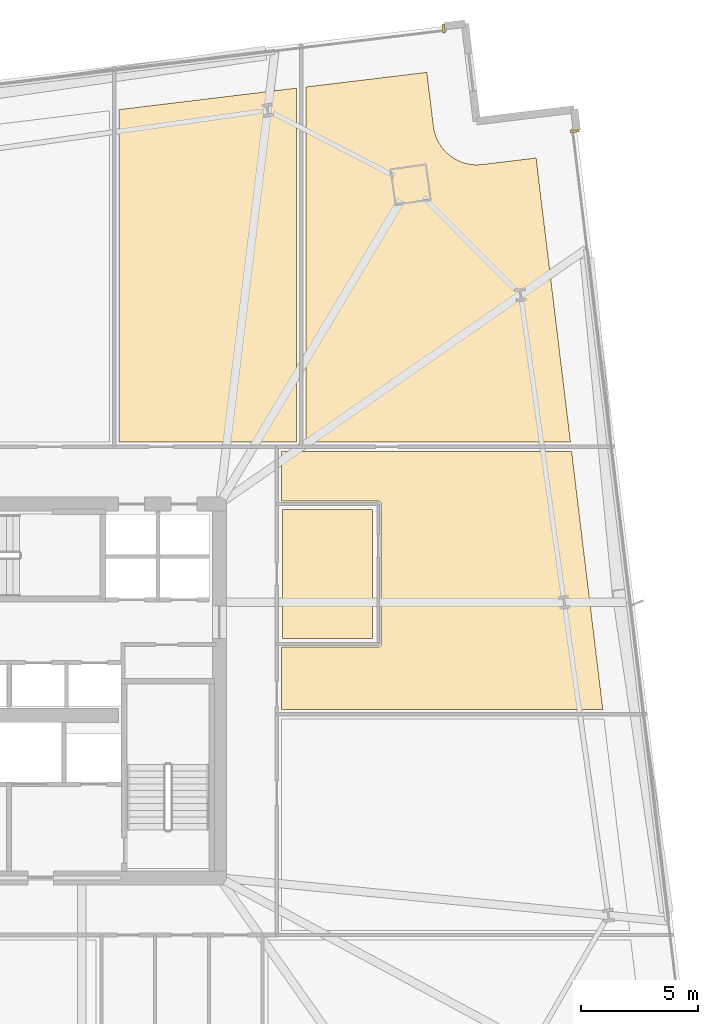
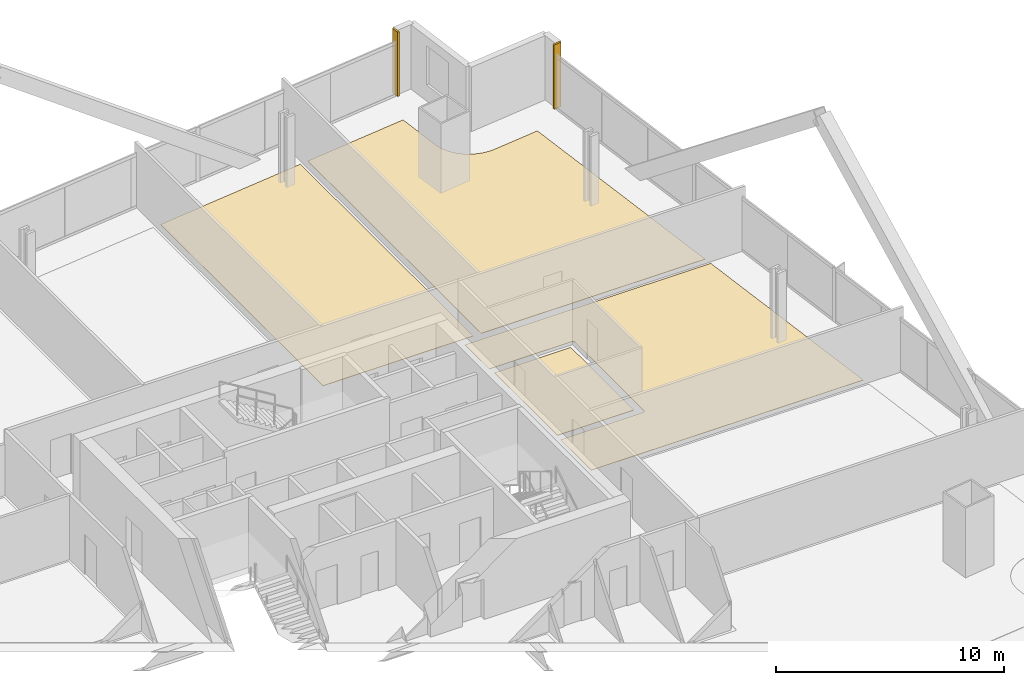
# One storey, part 33 of 33: 6 coverings.
"""IFC4 building model written with IfcOpenShell, lengths in metres."""

from ifc_helpers import new_model, si_unit, direction, frame, origin, origin_2d, place, context, subcontext, project, spatial, polyline, rectangle, outline, extrude, source, transform, mapped, material, layer, layer_set, type_object, element, save


model = new_model("IFC4")

# Units and contexts
model_context = context("Model", 3, precision=1e-05, world=origin(), true_north=direction((0.0, 1.0)))
body_context = subcontext(model_context, "Body", "Model", "MODEL_VIEW")
ifc_project = project(units=[si_unit("LENGTHUNIT", "METRE"), si_unit("AREAUNIT", "SQUARE_METRE"), si_unit("VOLUMEUNIT", "CUBIC_METRE"), si_unit("PLANEANGLEUNIT", "RADIAN"), si_unit("MASSUNIT", "GRAM", prefix="KILO")], contexts=[model_context])

# Site, building, storey
site_placement = place(None, origin())
site = spatial("IfcSite", under=ifc_project, at=site_placement, CompositionType="ELEMENT")
building_placement = place(site_placement, origin())
building = spatial("IfcBuilding", under=site, at=building_placement, Name="Haldenkirk Collegiate Tower", CompositionType="ELEMENT")
storey_placement = place(building_placement, frame((0.0, 0.0, 51.449951171875)))
storey = spatial("IfcBuildingStorey", under=building, at=storey_placement, Name="L11", CompositionType="ELEMENT", Elevation=51.449951171875)

# Coverings
ifc_material_1 = material(Name="Polished collegiate terrazzo", Category="concrete")
ifc_layer_1 = layer(ifc_material_1, 0.02490234375)
ifc_layer_set_1 = layer_set([ifc_layer_1], Name="Polished collegiate terrazzo")
covering_type_1 = type_object("IfcCoveringType", Name="COV-FLOOR-TERRAZZO", PredefinedType="FLOORING", material=ifc_layer_set_1)
covering_1_placement = place(storey_placement, origin())
element("IfcCovering", 1, at=covering_1_placement, inside=storey, type_object=covering_type_1, Name="L11 academic room finish 08", PredefinedType="FLOORING", context=body_context, shape_type="SweptSolid", body=[
    extrude(outline(polyline([(53.87939453125, 52.4697265625), (54.159423828125, 50.156494140625), (54.160400390625, 50.15087890625), (54.189208984375, 49.9814453125), (54.19189453125, 49.969970703125), (54.2373046875, 49.80419921875), (54.240966796875, 49.793212890625), (54.30224609375, 49.6328125), (54.30712890625, 49.6220703125), (54.384033203125, 49.468505859375), (54.389892578125, 49.458251953125), (54.481201171875, 49.31298828125), (54.488037109375, 49.30322265625), (54.593505859375, 49.16748046875), (54.60107421875, 49.15869140625), (54.71923828125, 49.033935546875), (54.727783203125, 49.02587890625), (54.857421875, 48.913330078125), (54.86669921875, 48.90625), (55.0068359375, 48.806884765625), (55.01708984375, 48.800537109375), (55.166259765625, 48.715576171875), (55.176513671875, 48.710205078125), (55.33349609375, 48.640380859375), (55.344482421875, 48.635986328125), (55.50732421875, 48.581787109375), (55.518798828125, 48.57861328125), (55.686279296875, 48.540771484375), (55.69775390625, 48.53857421875), (55.8681640625, 48.51708984375), (55.8798828125, 48.51611328125), (56.051513671875, 48.51171875), (56.0634765625, 48.511962890625), (56.234619140625, 48.524169921875), (56.240478515625, 48.52490234375), (58.5537109375, 48.8046875), (60.024658203125, 36.64990234375), (48.699951171875, 36.64990234375), (48.699951171875, 51.843017578125), (53.87939453125, 52.4697265625)])), origin(), (0.0, 0.0, 1.0), 0.025146484375),
])
ifc_material_2 = material(Name="Engineered collegiate oak acoustic flooring", Category="wood")
ifc_layer_2 = layer(ifc_material_2, 0.02197265625)
ifc_layer_set_2 = layer_set([ifc_layer_2], Name="Engineered collegiate oak acoustic flooring")
covering_type_2 = type_object("IfcCoveringType", Name="COV-FLOOR-TIMBER", PredefinedType="FLOORING", material=ifc_layer_set_2)
covering_2_placement = place(storey_placement, origin())
element("IfcCovering", 2, at=covering_2_placement, inside=storey, type_object=covering_type_2, Name="L11 academic room finish 01", PredefinedType="FLOORING", context=body_context, shape_type="SweptSolid", body=[
    extrude(outline(polyline([(47.699951171875, 28.239990234375), (47.699951171875, 33.760009765625), (51.56005859375, 33.760009765625), (51.56005859375, 28.239990234375), (47.699951171875, 28.239990234375)])), origin(), (0.0, 0.0, 1.0), 0.02197265625),
])
covering_3_placement = place(storey_placement, origin())
element("IfcCovering", 3, at=covering_3_placement, inside=storey, type_object=covering_type_2, Name="L11 academic room finish 07", PredefinedType="FLOORING", context=body_context, shape_type="SweptSolid", body=[
    extrude(outline(polyline([(48.300048828125, 51.79443359375), (48.300048828125, 36.64990234375), (40.699951171875, 36.64990234375), (40.699951171875, 50.874755859375), (48.300048828125, 51.79443359375)])), origin(), (0.0, 0.0, 1.0), 0.02197265625),
])
covering_4_placement = place(storey_placement, origin())
element("IfcCovering", 4, at=covering_4_placement, inside=storey, type_object=covering_type_2, Name="L11 academic room finish 13", PredefinedType="FLOORING", context=body_context, shape_type="SweptSolid", body=[
    extrude(outline(polyline([(51.800048828125, 27.8798828125), (51.811767578125, 27.880615234375), (51.823486328125, 27.88232421875), (51.834716796875, 27.88525390625), (51.845947265625, 27.88916015625), (51.856689453125, 27.894287109375), (51.86669921875, 27.900146484375), (51.876220703125, 27.9072265625), (51.885009765625, 27.9150390625), (51.892822265625, 27.923828125), (51.89990234375, 27.933349609375), (51.90576171875, 27.943359375), (51.910888671875, 27.9541015625), (51.914794921875, 27.965087890625), (51.917724609375, 27.9765625), (51.91943359375, 27.98828125), (51.919921875, 28.0), (51.919921875, 34.0), (51.91943359375, 34.01171875), (51.917724609375, 34.0234375), (51.914794921875, 34.034912109375), (51.910888671875, 34.0458984375), (51.90576171875, 34.056640625), (51.89990234375, 34.066650390625), (51.892822265625, 34.076171875), (51.885009765625, 34.0849609375), (51.876220703125, 34.0927734375), (51.86669921875, 34.099853515625), (51.856689453125, 34.105712890625), (51.845947265625, 34.11083984375), (51.834716796875, 34.11474609375), (51.823486328125, 34.11767578125), (51.811767578125, 34.119384765625), (51.800048828125, 34.1201171875), (47.64990234375, 34.1201171875), (47.64990234375, 36.25), (60.072998046875, 36.25), (61.41015625, 25.199951171875), (47.64990234375, 25.199951171875), (47.64990234375, 27.8798828125), (51.800048828125, 27.8798828125)])), origin(), (0.0, 0.0, 1.0), 0.02197265625),
])
ifc_material_3 = material(Name="Anodised architectural bronze aluminium", Category="aluminium")
ifc_layer_3 = layer(ifc_material_3, 0.06005859375)
ifc_layer_set_3 = layer_set([ifc_layer_3], Name="Anodised architectural bronze aluminium")
covering_type_3 = type_object("IfcCoveringType", Name="COV-CLAD-BRONZE-60", PredefinedType="CLADDING", material=ifc_layer_set_3)
shared_shape = source(origin(), body_context, "Body", "SweptSolid", [
    extrude(rectangle(XDim=0.10009765625, YDim=0.3798828125, at=origin_2d()), origin(), (0.0, 0.0, 1.0), 3.43994140625),
])
for number, where, z_axis, x_axis, name in (
    (5, (60.2080078125, 49.95166015625, 0.0), (0.0, 0.0, 1.0), (0.120136838835, -0.992757341929, 0.0), "L11 recessed curtain-wall bronze jamb closure EJL"),
    (6, (54.598876953125, 54.349609375, 0.0), (0.0, 0.0, 1.0), (0.992757341929, 0.120136838835, 0.0), "L11 recessed curtain-wall bronze jamb closure NJR"),
):
    element("IfcCovering", number, at=place(storey_placement, frame(where, z_axis=z_axis, x_axis=x_axis)), inside=storey, type_object=covering_type_3, Name=name, PredefinedType="CLADDING", context=body_context, shape_type="MappedRepresentation", body=[
        mapped(shared_shape, transform((0.0, 0.0, 0.0), x_axis=(1.0, 0.0, 0.0), y_axis=(0.0, 1.0, 0.0), z_axis=(0.0, 0.0, 1.0), scale=1.0)),
    ])

save(model, "model.ifc")
